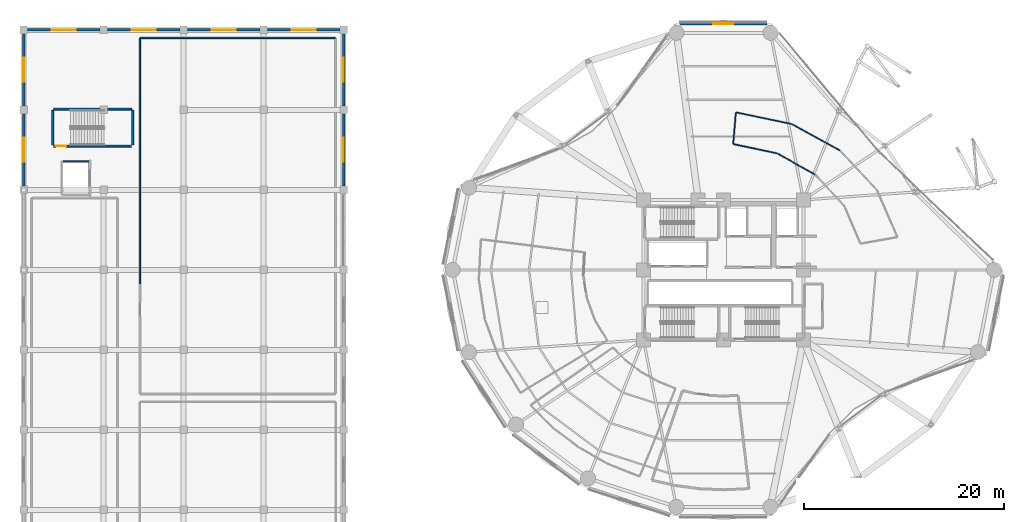
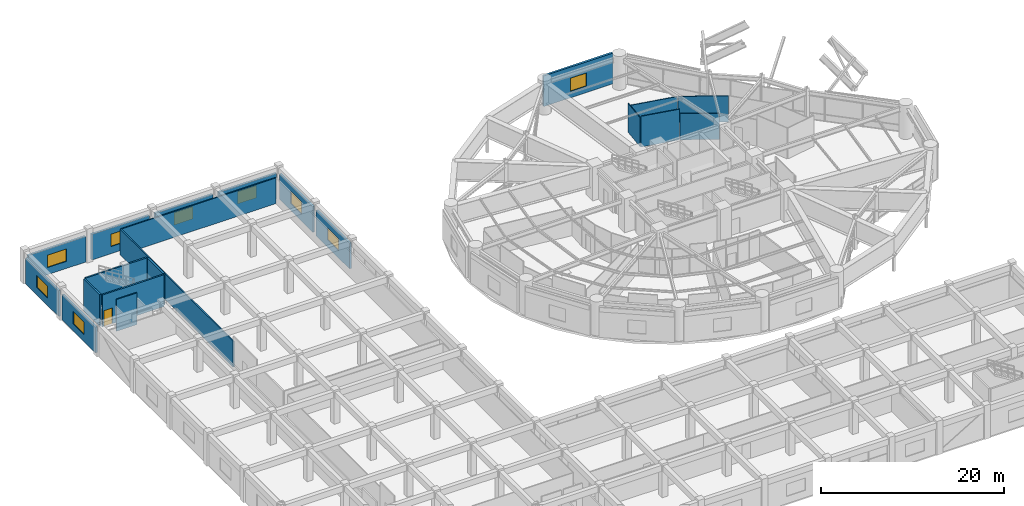
# One storey, part 45 of 53: 21 walls, 9 windows, 1 door, 10 openings.
"""IFC4 building model written with IfcOpenShell, lengths in metres."""

from ifc_helpers import new_model, si_unit, direction, frame, frame_2d, origin, place, context, subcontext, project, spatial, rectangle, extrude, material, layer, layer_set, type_object, element, fill, save


model = new_model("IFC4")

# Units and contexts
model_context = context("Model", 3, precision=1e-05, world=origin(), true_north=direction((0.0, 1.0)))
body_context = subcontext(model_context, "Body", "Model", "MODEL_VIEW")
ifc_project = project(units=[si_unit("LENGTHUNIT", "METRE"), si_unit("AREAUNIT", "SQUARE_METRE"), si_unit("VOLUMEUNIT", "CUBIC_METRE"), si_unit("PLANEANGLEUNIT", "RADIAN"), si_unit("MASSUNIT", "GRAM", prefix="KILO")], contexts=[model_context])

# Site, building, storey
site_placement = place(None, origin())
site = spatial("IfcSite", under=ifc_project, at=site_placement, CompositionType="ELEMENT")
building_placement = place(site_placement, origin())
building = spatial("IfcBuilding", under=site, at=building_placement, Name="Kelanora Arch Commons", CompositionType="ELEMENT")
storey_placement = place(building_placement, frame((0.0, 0.0, 9.0)))
storey = spatial("IfcBuildingStorey", under=building, at=storey_placement, Name="L02", CompositionType="ELEMENT", Elevation=9.0)

# Walls
ifc_material_1 = material(Name="Autoclaved aerated concrete blockwork with fire plaster", Category="masonry")
ifc_layer_1 = layer(ifc_material_1, 0.14990234375)
ifc_layer_set_1 = layer_set([ifc_layer_1], Name="Autoclaved aerated concrete blockwork with fire plaster")
wall_type_1 = type_object("IfcWallType", Name="W-COMP-150", PredefinedType="PARTITIONING", material=ifc_layer_set_1)
wall_1_placement = place(storey_placement, frame((7.9599609375, 68.860107421875, 0.0), z_axis=(0.0, 0.0, 1.0), x_axis=(1.0, 0.0, 0.0)))
element("IfcWall", 1, at=wall_1_placement, inside=storey, type_object=wall_type_1, Name="Market West Lift Shaft North Wall L02", PredefinedType="PARTITIONING", context=body_context, shape_type="SweptSolid", body=[
    extrude(rectangle(XDim=2.56005859375, YDim=0.14990234375, at=frame_2d((1.280029296875, 0.0))), origin(), (0.0, 0.0, 1.0), 4.22998046875),
])
wall_2_placement = place(storey_placement, frame((35.159912109375, 81.199951171875, 0.0), z_axis=(0.0, 0.0, 1.0), x_axis=(-1.0, 0.0, 0.0)))
element("IfcWall", 2, at=wall_2_placement, inside=storey, type_object=wall_type_1, Name="Market Maker Kiln and Material Store L02 Enclosure Partition 3", PredefinedType="PARTITIONING", context=body_context, shape_type="SweptSolid", body=[
    extrude(rectangle(XDim=19.5, YDim=0.14990234375, at=frame_2d((9.75, 0.0))), origin(), (0.0, 0.0, 1.0), 3.425048828125),
])
wall_3_placement = place(storey_placement, frame((15.6201171875, 81.159912109375, 0.0), z_axis=(0.0, 0.0, 1.0), x_axis=(0.0, -1.0, 0.0)))
element("IfcWall", 3, at=wall_3_placement, inside=storey, type_object=wall_type_1, Name="Market Maker Kiln and Material Store L02 Enclosure Partition 4", PredefinedType="PARTITIONING", context=body_context, shape_type="SweptSolid", body=[
    extrude(rectangle(XDim=24.619873046875, YDim=0.14990234375, at=frame_2d((12.31005859375, 0.0))), origin(), (0.0, 0.0, 1.0), 3.425048828125),
])

# Wall, opening, window
ifc_material_2 = material(Name="Precast concrete C40/50 with terracotta ceramic cladding", Category="masonry")
ifc_layer_2 = layer(ifc_material_2, 0.25)
ifc_layer_set_2 = layer_set([ifc_layer_2], Name="Precast concrete C40/50 with terracotta ceramic cladding")
wall_type_2 = type_object("IfcWallType", Name="W-EXT-MKT", PredefinedType="SOLIDWALL", material=ifc_layer_set_2)
wall_4_placement = place(storey_placement, frame((36.0, 66.3798828125, 0.0), z_axis=(0.0, 0.0, 1.0), x_axis=(0.0, 1.0, 0.0)))
wall_4 = element("IfcWall", 4, at=wall_4_placement, inside=storey, type_object=wall_type_2, Name="Market Hall Exterior Wall L02-28", PredefinedType="SOLIDWALL", context=body_context, shape_type="SweptSolid", body=[
    extrude(rectangle(XDim=7.240234375, YDim=0.25, at=frame_2d((3.6201171875, 0.0))), origin(), (0.0, 0.0, 1.0), 3.419921875),
])
opening_1_placement = place(wall_4_placement, frame((2.419921875, 0.0, 0.949951171875)))
opening_1 = element("IfcOpeningElement", 5, at=opening_1_placement, cuts=wall_4, Name="Opening WN-03", PredefinedType="OPENING", context=body_context, shape_type="SweptSolid", body=[
    extrude(rectangle(XDim=2.39990234375, YDim=1.64990234375, at=frame_2d((1.199951171875, 0.824951171875))), frame((0.0, 0.135009765625, 0.0), z_axis=(0.0, -1.0, 0.0), x_axis=(1.0, 0.0, 0.0)), (0.0, 0.0, 1.0), 0.27001953125),
])
ifc_material_3 = material(Name="Bronze-terracotta aluminium monsoon clerestory window", Category="masonry")
window_type_1 = type_object("IfcWindowType", Name="WIN-MKT-24", PartitioningType="TRIPLE_PANEL_VERTICAL", PredefinedType="WINDOW", material=ifc_material_3)
window_1_placement = place(opening_1_placement, origin())
window_1 = element("IfcWindow", 6, at=window_1_placement, inside=storey, type_object=window_type_1, Name="Market Hall Clerestory Window L02-28", OverallHeight=1.64990234375, OverallWidth=2.39990234375, PartitioningType="SINGLE_PANEL", PredefinedType="WINDOW", context=body_context, shape_type="SweptSolid", body=[
    extrude(rectangle(XDim=2.39990234375, YDim=1.64990234375, at=frame_2d((1.199951171875, 0.824951171875))), frame((0.0, 0.030029296875, 0.0), z_axis=(0.0, -1.0, 0.0), x_axis=(1.0, 0.0, 0.0)), (0.0, 0.0, 1.0), 0.06005859375),
])
fill(opening_1, window_1)

wall_5_placement = place(storey_placement, frame((36.0, 74.3798828125, 0.0), z_axis=(0.0, 0.0, 1.0), x_axis=(0.0, 1.0, 0.0)))
wall_5 = element("IfcWall", 7, at=wall_5_placement, inside=storey, type_object=wall_type_2, Name="Market Hall Exterior Wall L02-29", PredefinedType="SOLIDWALL", context=body_context, shape_type="SweptSolid", body=[
    extrude(rectangle(XDim=7.240234375, YDim=0.25, at=frame_2d((3.6201171875, 0.0))), origin(), (0.0, 0.0, 1.0), 3.419921875),
])
opening_2_placement = place(wall_5_placement, frame((2.419921875, 0.0, 0.949951171875)))
opening_2 = element("IfcOpeningElement", 8, at=opening_2_placement, cuts=wall_5, Name="Opening WN-03", PredefinedType="OPENING", context=body_context, shape_type="SweptSolid", body=[
    extrude(rectangle(XDim=2.39990234375, YDim=1.64990234375, at=frame_2d((1.199951171875, 0.824951171875))), frame((0.0, 0.135009765625, 0.0), z_axis=(0.0, -1.0, 0.0), x_axis=(1.0, 0.0, 0.0)), (0.0, 0.0, 1.0), 0.27001953125),
])
window_2_placement = place(opening_2_placement, origin())
window_2 = element("IfcWindow", 9, at=window_2_placement, inside=storey, type_object=window_type_1, Name="Market Hall Clerestory Window L02-29", OverallHeight=1.64990234375, OverallWidth=2.39990234375, PartitioningType="SINGLE_PANEL", PredefinedType="WINDOW", context=body_context, shape_type="SweptSolid", body=[
    extrude(rectangle(XDim=2.39990234375, YDim=1.64990234375, at=frame_2d((1.199951171875, 0.824951171875))), frame((0.0, 0.030029296875, 0.0), z_axis=(0.0, -1.0, 0.0), x_axis=(1.0, 0.0, 0.0)), (0.0, 0.0, 1.0), 0.06005859375),
])
fill(opening_2, window_2)

wall_6_placement = place(storey_placement, frame((35.6201171875, 82.0, 0.0), z_axis=(0.0, 0.0, 1.0), x_axis=(-1.0, 0.0, 0.0)))
wall_6 = element("IfcWall", 10, at=wall_6_placement, inside=storey, type_object=wall_type_2, Name="Market Hall Exterior Wall L02-30", PredefinedType="SOLIDWALL", context=body_context, shape_type="SweptSolid", body=[
    extrude(rectangle(XDim=7.240234375, YDim=0.25, at=frame_2d((3.6201171875, 0.0))), origin(), (0.0, 0.0, 1.0), 3.419921875),
])
opening_3_placement = place(wall_6_placement, frame((2.419921875, 0.0, 0.949951171875)))
opening_3 = element("IfcOpeningElement", 11, at=opening_3_placement, cuts=wall_6, Name="Opening WN-03", PredefinedType="OPENING", context=body_context, shape_type="SweptSolid", body=[
    extrude(rectangle(XDim=2.39990234375, YDim=1.64990234375, at=frame_2d((1.199951171875, 0.824951171875))), frame((0.0, 0.135009765625, 0.0), z_axis=(0.0, -1.0, 0.0), x_axis=(1.0, 0.0, 0.0)), (0.0, 0.0, 1.0), 0.27001953125),
])
window_3_placement = place(opening_3_placement, origin())
window_3 = element("IfcWindow", 12, at=window_3_placement, inside=storey, type_object=window_type_1, Name="Market Hall Clerestory Window L02-30", OverallHeight=1.64990234375, OverallWidth=2.39990234375, PartitioningType="SINGLE_PANEL", PredefinedType="WINDOW", context=body_context, shape_type="SweptSolid", body=[
    extrude(rectangle(XDim=2.39990234375, YDim=1.64990234375, at=frame_2d((1.199951171875, 0.824951171875))), frame((0.0, 0.030029296875, 0.0), z_axis=(0.0, -1.0, 0.0), x_axis=(1.0, 0.0, 0.0)), (0.0, 0.0, 1.0), 0.06005859375),
])
fill(opening_3, window_3)

wall_7_placement = place(storey_placement, frame((27.6201171875, 82.0, 0.0), z_axis=(0.0, 0.0, 1.0), x_axis=(-1.0, 0.0, 0.0)))
wall_7 = element("IfcWall", 13, at=wall_7_placement, inside=storey, type_object=wall_type_2, Name="Market Hall Exterior Wall L02-31", PredefinedType="SOLIDWALL", context=body_context, shape_type="SweptSolid", body=[
    extrude(rectangle(XDim=7.240234375, YDim=0.25, at=frame_2d((3.6201171875, 0.0))), origin(), (0.0, 0.0, 1.0), 3.419921875),
])
opening_4_placement = place(wall_7_placement, frame((2.419921875, 0.0, 0.949951171875)))
opening_4 = element("IfcOpeningElement", 14, at=opening_4_placement, cuts=wall_7, Name="Opening WN-03", PredefinedType="OPENING", context=body_context, shape_type="SweptSolid", body=[
    extrude(rectangle(XDim=2.39990234375, YDim=1.64990234375, at=frame_2d((1.199951171875, 0.824951171875))), frame((0.0, 0.135009765625, 0.0), z_axis=(0.0, -1.0, 0.0), x_axis=(1.0, 0.0, 0.0)), (0.0, 0.0, 1.0), 0.27001953125),
])
window_4_placement = place(opening_4_placement, origin())
window_4 = element("IfcWindow", 15, at=window_4_placement, inside=storey, type_object=window_type_1, Name="Market Hall Clerestory Window L02-31", OverallHeight=1.64990234375, OverallWidth=2.39990234375, PartitioningType="SINGLE_PANEL", PredefinedType="WINDOW", context=body_context, shape_type="SweptSolid", body=[
    extrude(rectangle(XDim=2.39990234375, YDim=1.64990234375, at=frame_2d((1.199951171875, 0.824951171875))), frame((0.0, 0.030029296875, 0.0), z_axis=(0.0, -1.0, 0.0), x_axis=(1.0, 0.0, 0.0)), (0.0, 0.0, 1.0), 0.06005859375),
])
fill(opening_4, window_4)

wall_8_placement = place(storey_placement, frame((19.6201171875, 82.0, 0.0), z_axis=(0.0, 0.0, 1.0), x_axis=(-1.0, 0.0, 0.0)))
wall_8 = element("IfcWall", 16, at=wall_8_placement, inside=storey, type_object=wall_type_2, Name="Market Hall Exterior Wall L02-32", PredefinedType="SOLIDWALL", context=body_context, shape_type="SweptSolid", body=[
    extrude(rectangle(XDim=7.240234375, YDim=0.25, at=frame_2d((3.6201171875, 0.0))), origin(), (0.0, 0.0, 1.0), 3.419921875),
])
opening_5_placement = place(wall_8_placement, frame((2.419921875, 0.0, 0.949951171875)))
opening_5 = element("IfcOpeningElement", 17, at=opening_5_placement, cuts=wall_8, Name="Opening WN-03", PredefinedType="OPENING", context=body_context, shape_type="SweptSolid", body=[
    extrude(rectangle(XDim=2.39990234375, YDim=1.64990234375, at=frame_2d((1.199951171875, 0.824951171875))), frame((0.0, 0.135009765625, 0.0), z_axis=(0.0, -1.0, 0.0), x_axis=(1.0, 0.0, 0.0)), (0.0, 0.0, 1.0), 0.27001953125),
])
window_5_placement = place(opening_5_placement, origin())
window_5 = element("IfcWindow", 18, at=window_5_placement, inside=storey, type_object=window_type_1, Name="Market Hall Clerestory Window L02-32", OverallHeight=1.64990234375, OverallWidth=2.39990234375, PartitioningType="SINGLE_PANEL", PredefinedType="WINDOW", context=body_context, shape_type="SweptSolid", body=[
    extrude(rectangle(XDim=2.39990234375, YDim=1.64990234375, at=frame_2d((1.199951171875, 0.824951171875))), frame((0.0, 0.030029296875, 0.0), z_axis=(0.0, -1.0, 0.0), x_axis=(1.0, 0.0, 0.0)), (0.0, 0.0, 1.0), 0.06005859375),
])
fill(opening_5, window_5)

wall_9_placement = place(storey_placement, frame((11.6201171875, 82.0, 0.0), z_axis=(0.0, 0.0, 1.0), x_axis=(-1.0, 0.0, 0.0)))
wall_9 = element("IfcWall", 19, at=wall_9_placement, inside=storey, type_object=wall_type_2, Name="Market Hall Exterior Wall L02-33", PredefinedType="SOLIDWALL", context=body_context, shape_type="SweptSolid", body=[
    extrude(rectangle(XDim=7.240234375, YDim=0.25, at=frame_2d((3.6201171875, 0.0))), origin(), (0.0, 0.0, 1.0), 3.419921875),
])
opening_6_placement = place(wall_9_placement, frame((2.419921875, 0.0, 0.949951171875)))
opening_6 = element("IfcOpeningElement", 20, at=opening_6_placement, cuts=wall_9, Name="Opening WN-03", PredefinedType="OPENING", context=body_context, shape_type="SweptSolid", body=[
    extrude(rectangle(XDim=2.39990234375, YDim=1.64990234375, at=frame_2d((1.199951171875, 0.824951171875))), frame((0.0, 0.135009765625, 0.0), z_axis=(0.0, -1.0, 0.0), x_axis=(1.0, 0.0, 0.0)), (0.0, 0.0, 1.0), 0.27001953125),
])
window_6_placement = place(opening_6_placement, origin())
window_6 = element("IfcWindow", 21, at=window_6_placement, inside=storey, type_object=window_type_1, Name="Market Hall Clerestory Window L02-33", OverallHeight=1.64990234375, OverallWidth=2.39990234375, PartitioningType="SINGLE_PANEL", PredefinedType="WINDOW", context=body_context, shape_type="SweptSolid", body=[
    extrude(rectangle(XDim=2.39990234375, YDim=1.64990234375, at=frame_2d((1.199951171875, 0.824951171875))), frame((0.0, 0.030029296875, 0.0), z_axis=(0.0, -1.0, 0.0), x_axis=(1.0, 0.0, 0.0)), (0.0, 0.0, 1.0), 0.06005859375),
])
fill(opening_6, window_6)

wall_10_placement = place(storey_placement, frame((4.0, 81.6201171875, 0.0), z_axis=(0.0, 0.0, 1.0), x_axis=(0.0, -1.0, 0.0)))
wall_10 = element("IfcWall", 22, at=wall_10_placement, inside=storey, type_object=wall_type_2, Name="Market Hall Exterior Wall L02-34", PredefinedType="SOLIDWALL", context=body_context, shape_type="SweptSolid", body=[
    extrude(rectangle(XDim=7.240234375, YDim=0.25, at=frame_2d((3.6201171875, 0.0))), origin(), (0.0, 0.0, 1.0), 3.419921875),
])
opening_7_placement = place(wall_10_placement, frame((2.419921875, 0.0, 0.949951171875)))
opening_7 = element("IfcOpeningElement", 23, at=opening_7_placement, cuts=wall_10, Name="Opening WN-03", PredefinedType="OPENING", context=body_context, shape_type="SweptSolid", body=[
    extrude(rectangle(XDim=2.39990234375, YDim=1.64990234375, at=frame_2d((1.199951171875, 0.824951171875))), frame((0.0, 0.135009765625, 0.0), z_axis=(0.0, -1.0, 0.0), x_axis=(1.0, 0.0, 0.0)), (0.0, 0.0, 1.0), 0.27001953125),
])
window_7_placement = place(opening_7_placement, origin())
window_7 = element("IfcWindow", 24, at=window_7_placement, inside=storey, type_object=window_type_1, Name="Market Hall Clerestory Window L02-34", OverallHeight=1.64990234375, OverallWidth=2.39990234375, PartitioningType="SINGLE_PANEL", PredefinedType="WINDOW", context=body_context, shape_type="SweptSolid", body=[
    extrude(rectangle(XDim=2.39990234375, YDim=1.64990234375, at=frame_2d((1.199951171875, 0.824951171875))), frame((0.0, 0.030029296875, 0.0), z_axis=(0.0, -1.0, 0.0), x_axis=(1.0, 0.0, 0.0)), (0.0, 0.0, 1.0), 0.06005859375),
])
fill(opening_7, window_7)

wall_11_placement = place(storey_placement, frame((4.0, 73.6201171875, 0.0), z_axis=(0.0, 0.0, 1.0), x_axis=(0.0, -1.0, 0.0)))
wall_11 = element("IfcWall", 25, at=wall_11_placement, inside=storey, type_object=wall_type_2, Name="Market Hall Exterior Wall L02-35", PredefinedType="SOLIDWALL", context=body_context, shape_type="SweptSolid", body=[
    extrude(rectangle(XDim=7.240234375, YDim=0.25, at=frame_2d((3.6201171875, 0.0))), origin(), (0.0, 0.0, 1.0), 3.419921875),
])
opening_8_placement = place(wall_11_placement, frame((2.419921875, 0.0, 0.949951171875)))
opening_8 = element("IfcOpeningElement", 26, at=opening_8_placement, cuts=wall_11, Name="Opening WN-03", PredefinedType="OPENING", context=body_context, shape_type="SweptSolid", body=[
    extrude(rectangle(XDim=2.39990234375, YDim=1.64990234375, at=frame_2d((1.199951171875, 0.824951171875))), frame((0.0, 0.135009765625, 0.0), z_axis=(0.0, -1.0, 0.0), x_axis=(1.0, 0.0, 0.0)), (0.0, 0.0, 1.0), 0.27001953125),
])
window_8_placement = place(opening_8_placement, origin())
window_8 = element("IfcWindow", 27, at=window_8_placement, inside=storey, type_object=window_type_1, Name="Market Hall Clerestory Window L02-35", OverallHeight=1.64990234375, OverallWidth=2.39990234375, PartitioningType="SINGLE_PANEL", PredefinedType="WINDOW", context=body_context, shape_type="SweptSolid", body=[
    extrude(rectangle(XDim=2.39990234375, YDim=1.64990234375, at=frame_2d((1.199951171875, 0.824951171875))), frame((0.0, 0.030029296875, 0.0), z_axis=(0.0, -1.0, 0.0), x_axis=(1.0, 0.0, 0.0)), (0.0, 0.0, 1.0), 0.06005859375),
])
fill(opening_8, window_8)

ifc_material_4 = material(Name="Precast concrete C40/50 with terracotta rainscreen", Category="masonry")
ifc_layer_3 = layer(ifc_material_4, 0.260009765625)
ifc_layer_set_3 = layer_set([ifc_layer_3], Name="Precast concrete C40/50 with terracotta rainscreen")
wall_type_3 = type_object("IfcWallType", Name="W-EXT-TC", PredefinedType="SOLIDWALL", material=ifc_layer_set_3)
wall_12_placement = place(storey_placement, frame((78.35595703125, 82.6201171875, 0.0), z_axis=(0.0, 0.0, 1.0), x_axis=(-1.0, 0.0, 0.0)))
wall_12 = element("IfcWall", 28, at=wall_12_placement, inside=storey, type_object=wall_type_3, Name="Terracotta Exterior Wall L02-B04", PredefinedType="SOLIDWALL", context=body_context, shape_type="SweptSolid", body=[
    extrude(rectangle(XDim=8.7119140625, YDim=0.260009765625, at=frame_2d((4.35595703125, 0.0))), origin(), (0.0, 0.0, 1.0), 4.0849609375),
])
opening_9_placement = place(wall_12_placement, frame((3.35595703125, 0.0, 0.85009765625)))
opening_9 = element("IfcOpeningElement", 29, at=opening_9_placement, cuts=wall_12, Name="Opening WN-05", PredefinedType="OPENING", context=body_context, shape_type="SweptSolid", body=[
    extrude(rectangle(XDim=2.0, YDim=1.75, at=frame_2d((1.0, 0.875))), frame((0.0, 0.14013671875, 0.0), z_axis=(0.0, -1.0, 0.0), x_axis=(1.0, 0.0, 0.0)), (0.0, 0.0, 1.0), 0.280029296875),
])
ifc_material_5 = material(Name="Terracotta-anodised aluminium podium window", Category="masonry")
window_type_2 = type_object("IfcWindowType", Name="WIN-POD-20", PartitioningType="TRIPLE_PANEL_VERTICAL", PredefinedType="WINDOW", material=ifc_material_5)
window_9_placement = place(opening_9_placement, origin())
window_9 = element("IfcWindow", 30, at=window_9_placement, inside=storey, type_object=window_type_2, Name="Podium Window L02-B04", OverallHeight=1.75, OverallWidth=2.0, PartitioningType="SINGLE_PANEL", PredefinedType="WINDOW", context=body_context, shape_type="SweptSolid", body=[
    extrude(rectangle(XDim=2.0, YDim=1.75, at=frame_2d((1.0, 0.875))), frame((0.0, 0.030029296875, 0.0), z_axis=(0.0, -1.0, 0.0), x_axis=(1.0, 0.0, 0.0)), (0.0, 0.0, 1.0), 0.06005859375),
])
fill(opening_9, window_9)

# Walls
ifc_material_6 = material(Name="Lightweight fire-rated acoustic stud partition")
ifc_layer_4 = layer(ifc_material_6, 0.10009765625)
ifc_layer_set_4 = layer_set([ifc_layer_4], Name="Lightweight fire-rated acoustic stud partition")
wall_type_4 = type_object("IfcWallType", Name="W-PART-100", PredefinedType="PARTITIONING", material=ifc_layer_set_4)
wall_13_placement = place(storey_placement, frame((83.1630859375, 67.54345703125, 0.0), z_axis=(0.0, 0.0, 1.0), x_axis=(-0.873635441336, 0.486581047351, 0.0)))
element("IfcWall", 31, at=wall_13_placement, inside=storey, type_object=wall_type_4, Name="Arch Portal Overlook Co-Working Commons L02-A Enclosure Partition 3", PredefinedType="PARTITIONING", context=body_context, shape_type="SweptSolid", body=[
    extrude(rectangle(XDim=4.3076171875, YDim=0.10009765625, at=frame_2d((2.15380859375, 0.0))), origin(), (0.0, 0.0, 1.0), 3.485107421875),
])
wall_14_placement = place(storey_placement, frame((79.325927734375, 69.667236328125, 0.0), z_axis=(0.0, 0.0, 1.0), x_axis=(-0.978253554802, 0.207412590066, 0.0)))
element("IfcWall", 32, at=wall_14_placement, inside=storey, type_object=wall_type_4, Name="Arch Portal Overlook Co-Working Commons L02-A Enclosure Partition 4", PredefinedType="PARTITIONING", context=body_context, shape_type="SweptSolid", body=[
    extrude(rectangle(XDim=4.404541015625, YDim=0.10009765625, at=frame_2d((2.2021484375, 0.0))), origin(), (0.0, 0.0, 1.0), 4.090087890625),
])
wall_15_placement = place(storey_placement, frame((74.981201171875, 70.62890625, 0.0), z_axis=(0.0, 0.0, 1.0), x_axis=(0.082980386384, 0.99655118056, 0.0)))
element("IfcWall", 33, at=wall_15_placement, inside=storey, type_object=wall_type_4, Name="Arch Portal Overlook Co-Working Commons L02-A Enclosure Partition 5", PredefinedType="PARTITIONING", context=body_context, shape_type="SweptSolid", body=[
    extrude(rectangle(XDim=3.10400390625, YDim=0.10009765625, at=frame_2d((1.552001953125, 0.0))), origin(), (0.0, 0.0, 1.0), 3.844970703125),
])
wall_16_placement = place(storey_placement, frame((75.28125, 73.75390625, 0.0), z_axis=(0.0, 0.0, 1.0), x_axis=(0.978815375129, -0.20474486907, 0.0)))
element("IfcWall", 34, at=wall_16_placement, inside=storey, type_object=wall_type_4, Name="Arch Portal Overlook Co-Working Commons L02-A Enclosure Partition 6", PredefinedType="PARTITIONING", context=body_context, shape_type="SweptSolid", body=[
    extrude(rectangle(XDim=5.6103515625, YDim=0.10009765625, at=frame_2d((2.80517578125, 0.0))), origin(), (0.0, 0.0, 1.0), 3.485107421875),
])
wall_17_placement = place(storey_placement, frame((80.84716796875, 72.57763671875, 0.0), z_axis=(0.0, 0.0, 1.0), x_axis=(0.876472970491, -0.481451069164, 0.0)))
element("IfcWall", 35, at=wall_17_placement, inside=storey, type_object=wall_type_4, Name="Arch Portal Overlook Co-Working Commons L02-A Enclosure Partition 7", PredefinedType="PARTITIONING", context=body_context, shape_type="SweptSolid", body=[
    extrude(rectangle(XDim=5.471435546875, YDim=0.10009765625, at=frame_2d((2.73583984375, 0.0))), origin(), (0.0, 0.0, 1.0), 3.485107421875),
])

# Wall, opening, door
ifc_material_7 = material(Name="Concrete C40/50", Category="concrete")
ifc_layer_5 = layer(ifc_material_7, 0.199951171875)
ifc_layer_set_5 = layer_set([ifc_layer_5], Name="Concrete C40/50")
wall_type_5 = type_object("IfcWallType", Name="W-STAIR-200", PredefinedType="SHEAR", material=ifc_layer_set_5)
wall_18_placement = place(storey_placement, frame((7.02001953125, 70.3798828125, 0.0), z_axis=(0.0, 0.0, 1.0), x_axis=(1.0, 0.0, 0.0)))
wall_18 = element("IfcWall", 36, at=wall_18_placement, inside=storey, type_object=wall_type_5, Name="Stair ST-M3 Shaft Wall S L02", PredefinedType="SHEAR", context=body_context, shape_type="SweptSolid", body=[
    extrude(rectangle(XDim=7.760009765625, YDim=0.199951171875, at=frame_2d((3.8798828125, 0.0))), origin(), (0.0, 0.0, 1.0), 4.239990234375),
])
opening_10_placement = place(wall_18_placement, frame((0.199951171875, 0.0, 0.0)))
opening_10 = element("IfcOpeningElement", 37, at=opening_10_placement, cuts=wall_18, Name="Opening D-ST1", PredefinedType="OPENING", context=body_context, shape_type="SweptSolid", body=[
    extrude(rectangle(XDim=1.050048828125, YDim=2.10009765625, at=frame_2d((0.52490234375, 1.050048828125))), frame((0.0, 0.10986328125, 0.0), z_axis=(0.0, -1.0, 0.0), x_axis=(1.0, 0.0, 0.0)), (0.0, 0.0, 1.0), 0.219970703125),
])
ifc_material_8 = material(Name="Steel fire-rated stairwell escape door", Category="steel")
door_type = type_object("IfcDoorType", Name="D-STAIR-110", OperationType="NOTDEFINED", PredefinedType="DOOR", material=ifc_material_8)
door_placement = place(opening_10_placement, origin())
door = element("IfcDoor", 38, at=door_placement, inside=storey, type_object=door_type, Name="Stair ST-M3 Escape Door L02", OperationType="SINGLE_SWING_LEFT", OverallHeight=2.10009765625, OverallWidth=1.050048828125, PredefinedType="DOOR", context=body_context, shape_type="SweptSolid", body=[
    extrude(rectangle(XDim=1.050048828125, YDim=2.10009765625, at=frame_2d((0.52490234375, 1.050048828125))), frame((0.0, 0.02490234375, 0.0), z_axis=(0.0, -1.0, 0.0), x_axis=(1.0, 0.0, 0.0)), (0.0, 0.0, 1.0), 0.050048828125),
])
fill(opening_10, door)

# Walls
wall_19_placement = place(storey_placement, frame((14.89990234375, 70.5, 0.0), z_axis=(0.0, 0.0, 1.0), x_axis=(0.0, 1.0, 0.0)))
element("IfcWall", 39, at=wall_19_placement, inside=storey, type_object=wall_type_5, Name="Stair ST-M3 Shaft Wall E L02", PredefinedType="SHEAR", context=body_context, shape_type="SweptSolid", body=[
    extrude(rectangle(XDim=3.469970703125, YDim=0.199951171875, at=frame_2d((1.73486328125, 0.0))), origin(), (0.0, 0.0, 1.0), 4.239990234375),
])
wall_20_placement = place(storey_placement, frame((14.780029296875, 74.090087890625, 0.0), z_axis=(0.0, 0.0, 1.0), x_axis=(-1.0, 0.0, 0.0)))
element("IfcWall", 40, at=wall_20_placement, inside=storey, type_object=wall_type_5, Name="Stair ST-M3 Shaft Wall N L02", PredefinedType="SHEAR", context=body_context, shape_type="SweptSolid", body=[
    extrude(rectangle(XDim=7.760009765625, YDim=0.199951171875, at=frame_2d((3.8798828125, 0.0))), origin(), (0.0, 0.0, 1.0), 4.239990234375),
])
wall_21_placement = place(storey_placement, frame((6.89990234375, 73.969970703125, 0.0), z_axis=(0.0, 0.0, 1.0), x_axis=(0.0, -1.0, 0.0)))
element("IfcWall", 41, at=wall_21_placement, inside=storey, type_object=wall_type_5, Name="Stair ST-M3 Shaft Wall W L02", PredefinedType="SHEAR", context=body_context, shape_type="SweptSolid", body=[
    extrude(rectangle(XDim=3.469970703125, YDim=0.199951171875, at=frame_2d((1.73486328125, 0.0))), origin(), (0.0, 0.0, 1.0), 4.239990234375),
])

save(model, "model.ifc")
